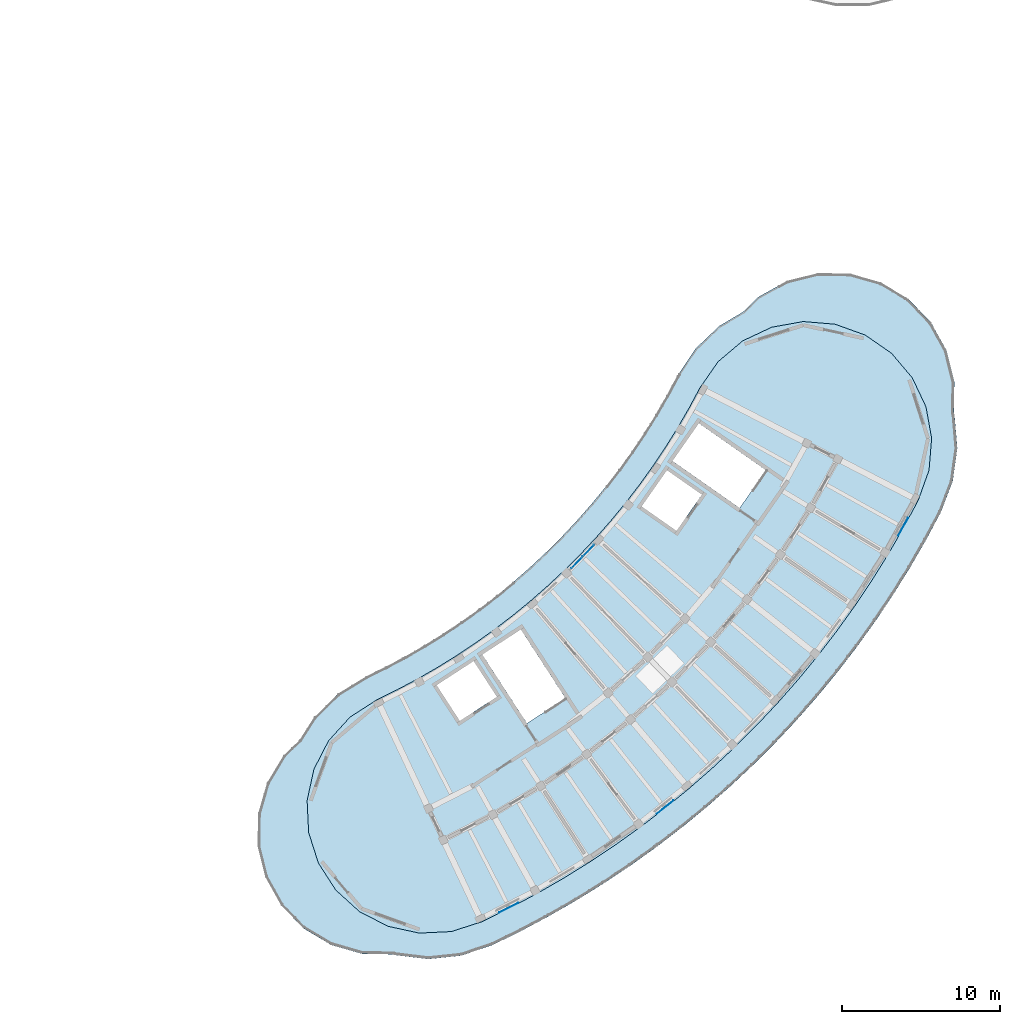
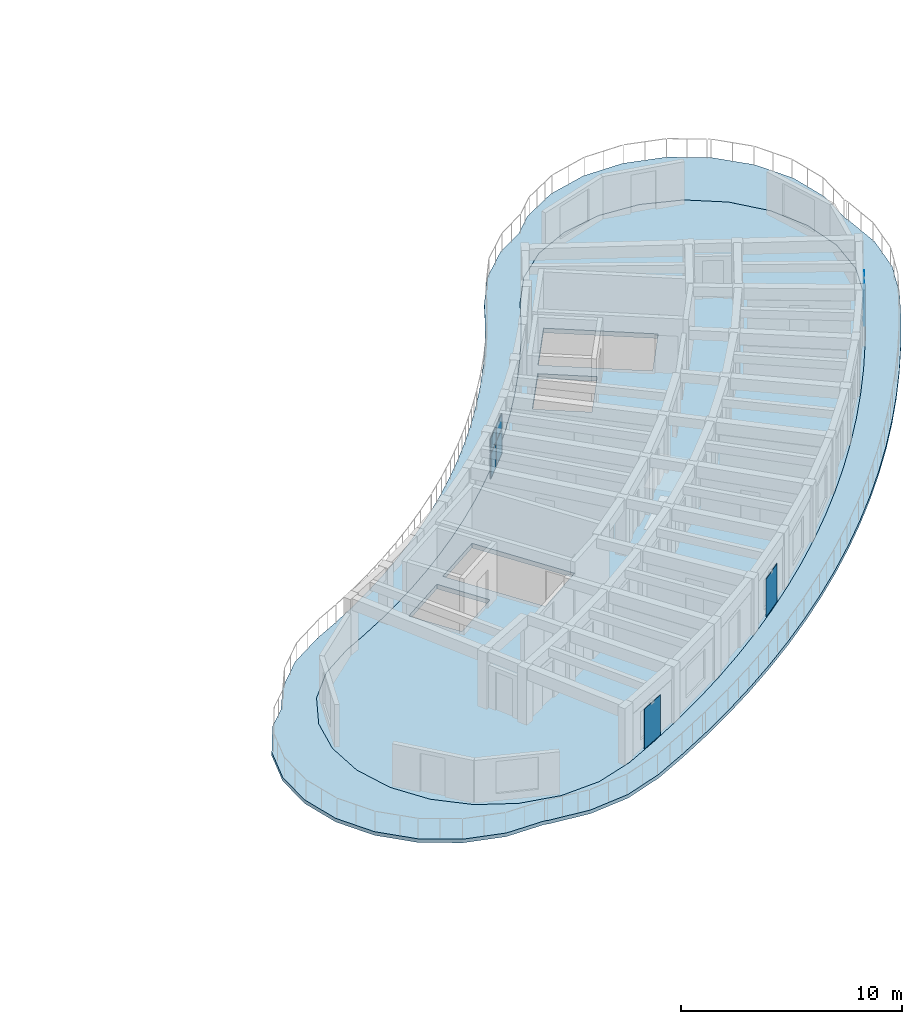
# One storey, part 19 of 56: 7 plates, 2 slabs, 1 element without a shape of its own.
"""IFC4 building model written with IfcOpenShell, lengths in metres."""

from ifc_helpers import new_model, si_unit, direction, frame, origin, origin_2d, place, context, subcontext, project, spatial, polyline, rectangle, outline, extrude, material, layer, layer_set, type_object, element, aggregate, save


model = new_model("IFC4")

# Units and contexts
model_context = context("Model", 3, precision=1e-05, world=origin(), true_north=direction((0.0, 1.0)))
body_context = subcontext(model_context, "Body", "Model", "MODEL_VIEW")
ifc_project = project(units=[si_unit("LENGTHUNIT", "METRE"), si_unit("AREAUNIT", "SQUARE_METRE"), si_unit("VOLUMEUNIT", "CUBIC_METRE"), si_unit("PLANEANGLEUNIT", "RADIAN"), si_unit("MASSUNIT", "GRAM", prefix="KILO")], contexts=[model_context])

# Site, building, storey
site_placement = place(None, origin())
site = spatial("IfcSite", under=ifc_project, at=site_placement, CompositionType="ELEMENT")
building_placement = place(site_placement, origin())
building = spatial("IfcBuilding", under=site, at=building_placement, Name="Tanwirah Colonnade Gardens", CompositionType="ELEMENT")
storey_placement = place(building_placement, frame((0.0, 0.0, 29.0)))
storey = spatial("IfcBuildingStorey", under=building, at=storey_placement, Name="L08", CompositionType="ELEMENT", Elevation=29.0)

# Curtain wall, plates
ifc_material_1 = material(Name="Bronze-anodised aluminium and solar-control low-E glass", Category="aluminium")
curtain_wall_type = type_object("IfcCurtainWallType", Name="CW-GDN", PredefinedType="NOTDEFINED", material=ifc_material_1)
curtain_wall_placement = place(storey_placement, origin())
curtain_wall = element("IfcCurtainWall", 1, at=curtain_wall_placement, inside=storey, type_object=curtain_wall_type, Name="Curtain Wall CW-D-L08-IN-08", PredefinedType="NOTDEFINED")
ifc_material_2 = material(Name="Acoustic solar-control low-E double glazing", Category="glass")
ifc_layer_1 = layer(ifc_material_2, 0.031982421875)
ifc_layer_set_1 = layer_set([ifc_layer_1], Name="Acoustic solar-control low-E double glazing")
plate_type_1 = type_object("IfcPlateType", Name="CWP-GLZ32", PredefinedType="CURTAIN_PANEL", material=ifc_layer_set_1)
plate_1_placement = place(storey_placement, frame((152.521240234375, 33.189208984375, 0.070068359375), z_axis=(0.0, 0.0, 1.0), x_axis=(0.696223466127, 0.717825107678, 0.0)))
plate_1 = element("IfcPlate", 2, at=plate_1_placement, type_object=plate_type_1, Name="CW-GDN panel 1.1", PredefinedType="CURTAIN_PANEL", context=body_context, shape_type="SweptSolid", body=[
    extrude(rectangle(XDim=0.9892578125, YDim=0.031982421875, at=origin_2d()), origin(), (0.0, 0.0, 1.0), 1.35498046875),
])
plate_2_placement = place(storey_placement, frame((152.521240234375, 33.189208984375, 1.4951171875), z_axis=(0.0, 0.0, 1.0), x_axis=(0.696223466127, 0.717825107678, 0.0)))
plate_2 = element("IfcPlate", 3, at=plate_2_placement, type_object=plate_type_1, Name="CW-GDN panel 1.2", PredefinedType="CURTAIN_PANEL", context=body_context, shape_type="SweptSolid", body=[
    extrude(rectangle(XDim=0.9892578125, YDim=0.031982421875, at=origin_2d()), origin(), (0.0, 0.0, 1.0), 0.789794921875),
])
plate_3_placement = place(storey_placement, frame((153.2587890625, 33.949462890625, 0.070068359375), z_axis=(0.0, 0.0, 1.0), x_axis=(0.696223466127, 0.717825107678, 0.0)))
plate_3 = element("IfcPlate", 4, at=plate_3_placement, type_object=plate_type_1, Name="CW-GDN panel 2.1", PredefinedType="CURTAIN_PANEL", context=body_context, shape_type="SweptSolid", body=[
    extrude(rectangle(XDim=0.9892578125, YDim=0.031982421875, at=origin_2d()), origin(), (0.0, 0.0, 1.0), 1.35498046875),
])
plate_4_placement = place(storey_placement, frame((153.2587890625, 33.949462890625, 1.4951171875), z_axis=(0.0, 0.0, 1.0), x_axis=(0.696223466127, 0.717825107678, 0.0)))
plate_4 = element("IfcPlate", 5, at=plate_4_placement, type_object=plate_type_1, Name="CW-GDN panel 2.2", PredefinedType="CURTAIN_PANEL", context=body_context, shape_type="SweptSolid", body=[
    extrude(rectangle(XDim=0.9892578125, YDim=0.031982421875, at=origin_2d()), origin(), (0.0, 0.0, 1.0), 0.789794921875),
])
aggregate(curtain_wall, [plate_1, plate_2, plate_3, plate_4])

# Plates
ifc_material_3 = material(Name="Laser-cut bronze aluminium solar screen plate", Category="aluminium")
ifc_layer_2 = layer(ifc_material_3, 0.02001953125)
ifc_layer_set_2 = layer_set([ifc_layer_2], Name="Laser-cut bronze aluminium solar screen plate")
plate_type_2 = type_object("IfcPlateType", Name="PLT-SCR20", PredefinedType="SHEET", material=ifc_layer_set_2)
plate_5_placement = place(storey_placement, frame((148.20751953125, 11.322998046875, 0.0), z_axis=(0.0, 0.0, 1.0), x_axis=(0.890013590842, 0.455933995352, 0.0)))
element("IfcPlate", 6, at=plate_5_placement, inside=storey, type_object=plate_type_2, Name="Perforated solar screen plate D-L08-03", PredefinedType="SHEET", context=body_context, shape_type="SweptSolid", body=[
    extrude(rectangle(XDim=1.35009765625, YDim=0.02001953125, at=origin_2d()), origin(), (0.0, 0.0, 1.0), 2.2099609375),
])
plate_6_placement = place(storey_placement, frame((158.106201171875, 17.68994140625, 0.0), z_axis=(0.0, 0.0, 1.0), x_axis=(0.78396556, 0.620804317586, 0.0)))
element("IfcPlate", 7, at=plate_6_placement, inside=storey, type_object=plate_type_2, Name="Perforated solar screen plate D-L08-06", PredefinedType="SHEET", context=body_context, shape_type="SweptSolid", body=[
    extrude(rectangle(XDim=1.35009765625, YDim=0.02001953125, at=origin_2d()), origin(), (0.0, 0.0, 1.0), 2.10009765625),
])
plate_7_placement = place(storey_placement, frame((173.195068359375, 35.453125, 0.0), z_axis=(0.0, 0.0, 1.0), x_axis=(0.486716582508, 0.873559939736, 0.0)))
element("IfcPlate", 8, at=plate_7_placement, inside=storey, type_object=plate_type_2, Name="Perforated solar screen plate D-L08-12", PredefinedType="SHEET", context=body_context, shape_type="SweptSolid", body=[
    extrude(rectangle(XDim=1.280029296875, YDim=0.02001953125, at=origin_2d()), origin(), (0.0, 0.0, 1.0), 2.2099609375),
])

# Slabs
ifc_material_4 = material(Name="White architectural precast concrete C40/50", Category="concrete")
ifc_layer_3 = layer(ifc_material_4, 0.199951171875)
ifc_layer_set_3 = layer_set([ifc_layer_3], Name="White architectural precast concrete C40/50")
slab_type_1 = type_object("IfcSlabType", Name="SL-BAL-200", PredefinedType="FLOOR", material=ifc_layer_set_3)
slab_1_placement = place(storey_placement, frame((0.0, 0.0, -0.199951171875)))
element("IfcSlab", 9, at=slab_1_placement, inside=storey, type_object=slab_type_1, Name="Block D L08 Continuous White Balcony Ribbon", PredefinedType="FLOOR", context=body_context, shape_type="SweptSolid", body=[
    extrude(outline(polyline([(134.952392578125, 21.938232421875), (133.95361328125, 20.973876953125), (132.905029296875, 19.228515625), (132.34375, 17.271240234375), (132.30810546875, 15.2353515625), (132.80078125, 13.259521484375), (133.7880859375, 11.478759765625), (135.202392578125, 10.013916015625), (136.94775390625, 8.96533203125), (138.905029296875, 8.404052734375), (140.88134765625, 8.369384765625), (141.015625, 8.3212890625), (143.10546875, 8.068603515625), (145.198974609375, 8.287353515625), (147.19140625, 8.966552734375), (148.994384765625, 9.85302734375), (150.767333984375, 10.79833984375), (152.508544921875, 11.801025390625), (154.2158203125, 12.860107421875), (155.8876953125, 13.974609375), (157.522216796875, 15.143310546875), (159.117431640625, 16.364501953125), (160.672119140625, 17.637451171875), (162.18408203125, 18.960693359375), (163.652099609375, 20.33251953125), (165.07421875, 21.751708984375), (166.449462890625, 23.216796875), (167.77587890625, 24.725830078125), (169.05224609375, 26.277587890625), (170.277099609375, 27.870361328125), (171.44921875, 29.502197265625), (172.567138671875, 31.171630859375), (173.630126953125, 32.876708984375), (174.636474609375, 34.61572265625), (175.585693359375, 36.386474609375), (176.333984375, 38.35400390625), (176.62548828125, 40.438720703125), (176.446044921875, 42.535888671875), (176.402587890625, 42.671875), (176.43701171875, 44.64794921875), (175.9443359375, 46.623779296875), (174.957275390625, 48.40478515625), (173.542724609375, 49.869384765625), (171.79736328125, 50.918212890625), (169.840087890625, 51.4794921875), (167.80419921875, 51.514892578125), (165.828369140625, 51.022216796875), (164.047607421875, 50.03515625), (163.048828125, 49.07080078125), (161.567138671875, 48.194091796875), (160.039306640625, 46.74609375), (158.8720703125, 44.99462890625), (158.213623046875, 43.765869140625), (157.515380859375, 42.559326171875), (156.77783203125, 41.37646484375), (156.002197265625, 40.218017578125), (155.18896484375, 39.0859375), (154.339111328125, 37.98095703125), (153.45361328125, 36.904296875), (152.533203125, 35.857177734375), (151.579345703125, 34.8408203125), (150.592529296875, 33.856201171875), (149.573974609375, 32.904296875), (148.52490234375, 31.986328125), (147.4462890625, 31.10302734375), (146.33935546875, 30.255615234375), (145.205322265625, 29.445068359375), (144.04541015625, 28.671630859375), (142.86083984375, 27.93701171875), (141.65283203125, 27.2412109375), (140.4228515625, 26.58544921875), (139.171875, 25.97021484375), (137.380615234375, 24.86474609375), (135.880126953125, 23.388427734375), (134.952392578125, 21.938232421875)]), holes=[polyline([(138.15478515625, 23.40625), (139.8642578125, 24.505615234375), (141.1611328125, 25.1435546875), (141.16162109375, 25.143798828125), (142.43798828125, 25.82421875), (142.4384765625, 25.824462890625), (143.69189453125, 26.54638671875), (143.692626953125, 26.546630859375), (144.921630859375, 27.30908203125), (144.922119140625, 27.309326171875), (146.125732421875, 28.111572265625), (146.126220703125, 28.112060546875), (147.302734375, 28.953369140625), (147.30322265625, 28.95361328125), (148.45166015625, 29.8330078125), (148.452392578125, 29.833251953125), (149.5712890625, 30.749755859375), (149.57177734375, 30.75), (150.660400390625, 31.70263671875), (150.660888671875, 31.702880859375), (151.717529296875, 32.690673828125), (151.718017578125, 32.69091796875), (152.741943359375, 33.712646484375), (152.742431640625, 33.713134765625), (153.732177734375, 34.767578125), (153.732666015625, 34.76806640625), (154.6875, 35.8544921875), (154.68798828125, 35.85498046875), (155.606689453125, 36.97216796875), (155.607177734375, 36.97265625), (156.48876953125, 38.119140625), (156.4892578125, 38.11962890625), (157.3330078125, 39.29443359375), (157.33349609375, 39.294921875), (158.13818359375, 40.496826171875), (158.138671875, 40.497314453125), (158.90380859375, 41.724853515625), (158.904052734375, 41.725341796875), (159.628662109375, 42.97705078125), (159.62890625, 42.977783203125), (160.3115234375, 44.25146484375), (161.47021484375, 45.92138671875), (163.020263671875, 47.233642578125), (164.857177734375, 48.10009765625), (166.855712890625, 48.46142578125), (168.879638671875, 48.293212890625), (170.791015625, 47.60693359375), (172.459716796875, 46.44921875), (173.77197265625, 44.899169921875), (174.638427734375, 43.062255859375), (174.999755859375, 41.063720703125), (174.83154296875, 39.039794921875), (174.14501953125, 37.127197265625), (173.221435546875, 35.404052734375), (172.241455078125, 33.7109375), (171.20654296875, 32.051025390625), (170.1181640625, 30.425537109375), (168.976806640625, 28.836669921875), (167.784423828125, 27.2861328125), (166.541748046875, 25.775146484375), (165.250244140625, 24.305908203125), (163.911376953125, 22.879638671875), (162.526611328125, 21.497802734375), (161.097412109375, 20.162109375), (159.625244140625, 18.8740234375), (158.11181640625, 17.634521484375), (156.55859375, 16.445556640625), (154.96728515625, 15.3076171875), (153.33935546875, 14.22265625), (151.677001953125, 13.19140625), (149.98193359375, 12.21533203125), (148.255615234375, 11.294921875), (146.501220703125, 10.43212890625), (144.56591796875, 9.812744140625), (142.537353515625, 9.71533203125), (140.552734375, 10.146240234375), (138.7470703125, 11.076171875), (137.24365234375, 12.441650390625), (136.14501953125, 14.149658203125), (135.52587890625, 16.083984375), (135.428466796875, 18.112548828125), (135.859375, 20.09716796875), (136.789306640625, 21.90283203125), (138.15478515625, 23.40625)])]), origin(), (0.0, 0.0, 1.0), 0.199951171875),
])
ifc_material_5 = material(Name="Precast concrete C40/50", Category="concrete")
ifc_layer_4 = layer(ifc_material_5, 0.25)
ifc_layer_set_4 = layer_set([ifc_layer_4], Name="Precast concrete C40/50")
slab_type_2 = type_object("IfcSlabType", Name="SL-RES-250", PredefinedType="FLOOR", material=ifc_layer_set_4)
slab_2_placement = place(storey_placement, frame((0.0, 0.0, -0.25)))
element("IfcSlab", 10, at=slab_2_placement, inside=storey, type_object=slab_type_2, Name="Block D L08 Precast Composite Floor Slab", PredefinedType="FLOOR", context=body_context, shape_type="SweptSolid", body=[
    extrude(outline(polyline([(142.428466796875, 25.841796875), (141.15234375, 25.161376953125), (139.854248046875, 24.523193359375), (138.141845703125, 23.421630859375), (136.772705078125, 21.914306640625), (135.84033203125, 20.10400390625), (135.408447265625, 18.1142578125), (135.506103515625, 16.080322265625), (136.126708984375, 14.14111328125), (137.228271484375, 12.428466796875), (138.735595703125, 11.0595703125), (140.5458984375, 10.127197265625), (142.53564453125, 9.695068359375), (144.569580078125, 9.792724609375), (146.5087890625, 10.41357421875), (148.264892578125, 11.277099609375), (149.99169921875, 12.19775390625), (151.687255859375, 13.17431640625), (153.350341796875, 14.205810546875), (154.978515625, 15.291259765625), (156.5703125, 16.429443359375), (158.124267578125, 17.618896484375), (159.63818359375, 18.858642578125), (161.11083984375, 20.1474609375), (162.54052734375, 21.4833984375), (163.92578125, 22.86572265625), (165.26513671875, 24.29248046875), (166.556884765625, 25.76220703125), (167.800048828125, 27.273681640625), (168.992919921875, 28.82470703125), (170.134521484375, 30.414306640625), (171.223388671875, 32.0400390625), (172.258544921875, 33.70068359375), (173.23876953125, 35.394287109375), (174.163330078125, 37.119140625), (174.851318359375, 39.03564453125), (175.02001953125, 41.064697265625), (174.657470703125, 43.068603515625), (173.7890625, 44.91015625), (172.473388671875, 46.46435546875), (170.80029296875, 47.625), (168.8837890625, 48.31298828125), (166.854736328125, 48.481689453125), (164.850830078125, 48.119140625), (163.00927734375, 47.250732421875), (161.455078125, 45.93505859375), (160.294677734375, 44.261962890625), (159.611328125, 42.987060546875), (158.88671875, 41.7353515625), (158.12158203125, 40.5078125), (157.31689453125, 39.30615234375), (156.47314453125, 38.13134765625), (155.59130859375, 36.98486328125), (154.672607421875, 35.86767578125), (153.717529296875, 34.781494140625), (152.727783203125, 33.726806640625), (151.703857421875, 32.705078125), (150.647216796875, 31.717529296875), (149.55859375, 30.76513671875), (148.439697265625, 29.848876953125), (147.291259765625, 28.969482421875), (146.114501953125, 28.12841796875), (144.9111328125, 27.326171875), (143.681884765625, 26.563720703125), (142.428466796875, 25.841796875)]), holes=[polyline([(149.358642578125, 23.003662109375), (146.528076171875, 27.3623046875), (148.971923828125, 28.94921875), (151.802490234375, 24.5908203125), (149.358642578125, 23.003662109375)]), polyline([(143.63427734375, 25.42333984375), (145.982666015625, 26.9482421875), (147.453125, 24.683837890625), (145.104736328125, 23.158935546875), (143.63427734375, 25.42333984375)]), polyline([(160.252685546875, 42.016357421875), (164.509765625, 39.03564453125), (162.83837890625, 36.648681640625), (158.581298828125, 39.62939453125), (160.252685546875, 42.016357421875)]), polyline([(160.442138671875, 37.49267578125), (158.836181640625, 35.198974609375), (156.62451171875, 36.74755859375), (158.23046875, 39.041259765625), (160.442138671875, 37.49267578125)])]), origin(), (0.0, 0.0, 1.0), 0.25),
])

save(model, "model.ifc")
